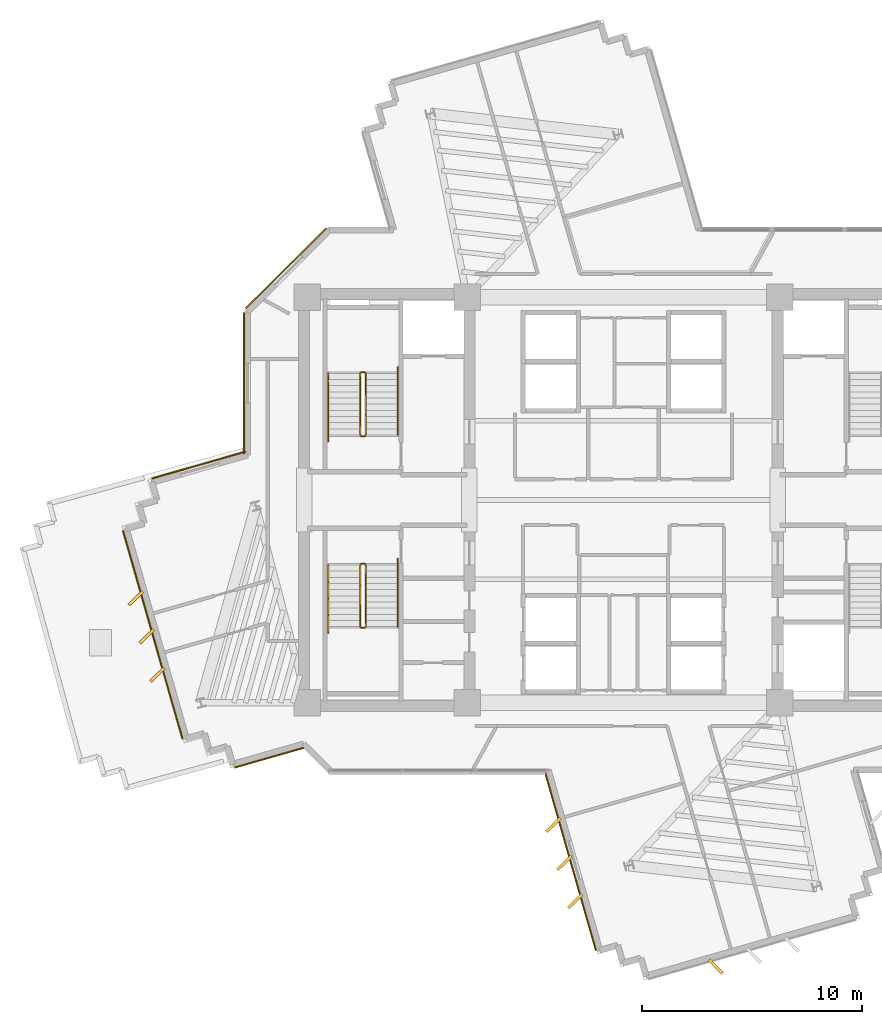
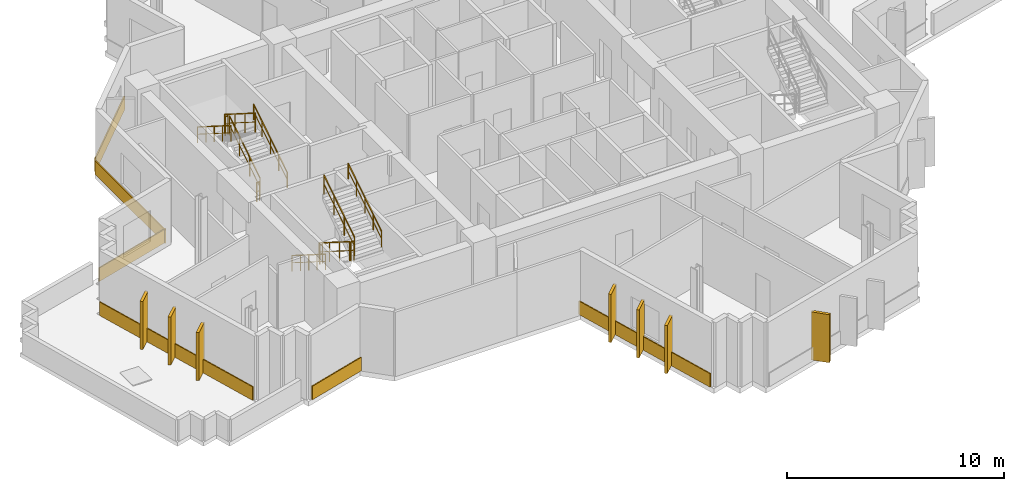
# One storey, part 12 of 14: 13 coverings, 12 railings.
"""IFC4 building model written with IfcOpenShell, lengths in metres."""

from ifc_helpers import new_model, si_unit, direction, frame, origin, origin_2d, place, context, subcontext, project, spatial, rectangle, extrude, source, transform, mapped, material, layer, layer_set, type_object, element, save


model = new_model("IFC4")

# Units and contexts
model_context = context("Model", 3, precision=1e-05, world=origin(), true_north=direction((0.0, 1.0)))
body_context = subcontext(model_context, "Body", "Model", "MODEL_VIEW")
ifc_project = project(units=[si_unit("LENGTHUNIT", "METRE"), si_unit("AREAUNIT", "SQUARE_METRE"), si_unit("VOLUMEUNIT", "CUBIC_METRE"), si_unit("PLANEANGLEUNIT", "RADIAN"), si_unit("MASSUNIT", "GRAM", prefix="KILO")], contexts=[model_context])

# Site, building, storey
site_placement = place(None, origin())
site = spatial("IfcSite", under=ifc_project, at=site_placement, CompositionType="ELEMENT")
building_placement = place(site_placement, origin())
building = spatial("IfcBuilding", under=site, at=building_placement, Name="Zahravan Cultural Tower", CompositionType="ELEMENT")
storey_placement = place(building_placement, frame((0.0, 0.0, 201.89990234375)))
storey = spatial("IfcBuildingStorey", under=building, at=storey_placement, Name="L47", CompositionType="ELEMENT", Elevation=201.89990234375)

# Railings
ifc_material_1 = material(Name="Steel ASTM A572 Grade 50", Category="steel")
railing_type_1 = type_object("IfcRailingType", Name="RL-STAIR-GRD1150", PredefinedType="BALUSTRADE", material=ifc_material_1)
railing_1_placement = place(storey_placement, frame((24.300048828125, 29.949951171875, 0.177490234375)))
element("IfcRailing", 1, at=railing_1_placement, inside=storey, type_object=railing_type_1, Name="L47 ST-W1 stair guard 1", PredefinedType="BALUSTRADE", context=body_context, shape_type="SweptSolid", body=[
    extrude(rectangle(XDim=0.05, YDim=0.05, at=origin_2d()), frame((0.0, 0.0, 1.0751953125), z_axis=(0.0, 0.844908973607, 0.534910110503), x_axis=(-1.0, 0.0, 0.0)), (0.0, 0.0, 1.0), 3.31396484375),
    extrude(rectangle(XDim=0.032, YDim=0.032, at=origin_2d()), frame((0.0, 0.0, 0.572021484375), z_axis=(0.0, 0.844908973607, 0.534910110503), x_axis=(-1.0, 0.0, 0.0)), (0.0, 0.0, 1.0), 3.31396484375),
    extrude(rectangle(XDim=0.04, YDim=0.04, at=origin_2d()), origin(), (0.0, 0.0, 1.0), 1.10009765625),
    extrude(rectangle(XDim=0.04, YDim=0.04, at=origin_2d()), frame((0.0, 0.933349609375, 0.5908203125)), (0.0, 0.0, 1.0), 1.10009765625),
    extrude(rectangle(XDim=0.04, YDim=0.04, at=origin_2d()), frame((0.0, 1.86669921875, 1.181884765625)), (0.0, 0.0, 1.0), 1.10009765625),
    extrude(rectangle(XDim=0.04, YDim=0.04, at=origin_2d()), frame((0.0, 2.800048828125, 1.772705078125)), (0.0, 0.0, 1.0), 1.10009765625),
])
railing_2_placement = place(storey_placement, frame((24.25, 32.800048828125, 1.9501953125)))
element("IfcRailing", 2, at=railing_2_placement, inside=storey, type_object=railing_type_1, Name="L47 ST-W1 stair guard 2", PredefinedType="BALUSTRADE", context=body_context, shape_type="SweptSolid", body=[
    extrude(rectangle(XDim=0.05, YDim=0.05, at=origin_2d()), frame((0.0, 0.0, 1.0751953125), z_axis=(-1.0, 0.0, 0.0), x_axis=(0.0, -1.0, 0.0)), (0.0, 0.0, 1.0), 0.14990234375),
    extrude(rectangle(XDim=0.032, YDim=0.032, at=origin_2d()), frame((0.0, 0.0, 0.572021484375), z_axis=(-1.0, 0.0, 0.0), x_axis=(0.0, -1.0, 0.0)), (0.0, 0.0, 1.0), 0.14990234375),
    extrude(rectangle(XDim=0.04, YDim=0.04, at=origin_2d()), origin(), (0.0, 0.0, 1.0), 1.10009765625),
    extrude(rectangle(XDim=0.04, YDim=0.04, at=origin_2d()), frame((-0.14990234375, 0.0, 0.0)), (0.0, 0.0, 1.0), 1.10009765625),
])
railing_3_placement = place(storey_placement, frame((24.050048828125, 32.75, 2.12744140625)))
element("IfcRailing", 3, at=railing_3_placement, inside=storey, type_object=railing_type_1, Name="L47 ST-W1 stair guard 3", PredefinedType="BALUSTRADE", context=body_context, shape_type="SweptSolid", body=[
    extrude(rectangle(XDim=0.05, YDim=0.05, at=origin_2d()), frame((0.0, 0.0, 1.0751953125), z_axis=(0.0, -0.844908973607, 0.534910110503), x_axis=(1.0, 0.0, 0.0)), (0.0, 0.0, 1.0), 3.31396484375),
    extrude(rectangle(XDim=0.032, YDim=0.032, at=origin_2d()), frame((0.0, 0.0, 0.572021484375), z_axis=(0.0, -0.844908973607, 0.534910110503), x_axis=(1.0, 0.0, 0.0)), (0.0, 0.0, 1.0), 3.31396484375),
    extrude(rectangle(XDim=0.04, YDim=0.04, at=origin_2d()), origin(), (0.0, 0.0, 1.0), 1.10009765625),
    extrude(rectangle(XDim=0.04, YDim=0.04, at=origin_2d()), frame((0.0, -0.933349609375, 0.5908203125)), (0.0, 0.0, 1.0), 1.10009765625),
    extrude(rectangle(XDim=0.04, YDim=0.04, at=origin_2d()), frame((0.0, -1.86669921875, 1.181884765625)), (0.0, 0.0, 1.0), 1.10009765625),
    extrude(rectangle(XDim=0.04, YDim=0.04, at=origin_2d()), frame((0.0, -2.800048828125, 1.772705078125)), (0.0, 0.0, 1.0), 1.10009765625),
])
railing_4_placement = place(storey_placement, frame((24.25, 29.89990234375, 0.0)))
element("IfcRailing", 4, at=railing_4_placement, inside=storey, type_object=railing_type_1, Name="L47 ST-W1 stair guard 4", PredefinedType="BALUSTRADE", context=body_context, shape_type="SweptSolid", body=[
    extrude(rectangle(XDim=0.05, YDim=0.05, at=origin_2d()), frame((0.0, 0.0, 1.0751953125), z_axis=(-1.0, 0.0, 0.0), x_axis=(0.0, -1.0, 0.0)), (0.0, 0.0, 1.0), 0.14990234375),
    extrude(rectangle(XDim=0.032, YDim=0.032, at=origin_2d()), frame((0.0, 0.0, 0.572021484375), z_axis=(-1.0, 0.0, 0.0), x_axis=(0.0, -1.0, 0.0)), (0.0, 0.0, 1.0), 0.14990234375),
    extrude(rectangle(XDim=0.04, YDim=0.04, at=origin_2d()), origin(), (0.0, 0.0, 1.0), 1.10009765625),
    extrude(rectangle(XDim=0.04, YDim=0.04, at=origin_2d()), frame((-0.14990234375, 0.0, 0.0)), (0.0, 0.0, 1.0), 1.10009765625),
])
railing_5_placement = place(storey_placement, frame((24.050048828125, 24.050048828125, 0.177490234375)))
element("IfcRailing", 5, at=railing_5_placement, inside=storey, type_object=railing_type_1, Name="L47 ST-W2 stair guard 1", PredefinedType="BALUSTRADE", context=body_context, shape_type="SweptSolid", body=[
    extrude(rectangle(XDim=0.05, YDim=0.05, at=origin_2d()), frame((0.0, 0.0, 1.0751953125), z_axis=(0.0, -0.844908973607, 0.534910110503), x_axis=(1.0, 0.0, 0.0)), (0.0, 0.0, 1.0), 3.31396484375),
    extrude(rectangle(XDim=0.032, YDim=0.032, at=origin_2d()), frame((0.0, 0.0, 0.572021484375), z_axis=(0.0, -0.844908973607, 0.534910110503), x_axis=(1.0, 0.0, 0.0)), (0.0, 0.0, 1.0), 3.31396484375),
    extrude(rectangle(XDim=0.04, YDim=0.04, at=origin_2d()), origin(), (0.0, 0.0, 1.0), 1.10009765625),
    extrude(rectangle(XDim=0.04, YDim=0.04, at=origin_2d()), frame((0.0, -0.933349609375, 0.5908203125)), (0.0, 0.0, 1.0), 1.10009765625),
    extrude(rectangle(XDim=0.04, YDim=0.04, at=origin_2d()), frame((0.0, -1.86669921875, 1.181884765625)), (0.0, 0.0, 1.0), 1.10009765625),
    extrude(rectangle(XDim=0.04, YDim=0.04, at=origin_2d()), frame((0.0, -2.800048828125, 1.772705078125)), (0.0, 0.0, 1.0), 1.10009765625),
])
railing_6_placement = place(storey_placement, frame((24.10009765625, 21.199951171875, 1.9501953125)))
element("IfcRailing", 6, at=railing_6_placement, inside=storey, type_object=railing_type_1, Name="L47 ST-W2 stair guard 2", PredefinedType="BALUSTRADE", context=body_context, shape_type="SweptSolid", body=[
    extrude(rectangle(XDim=0.05, YDim=0.05, at=origin_2d()), frame((0.0, 0.0, 1.0751953125), z_axis=(1.0, 0.0, 0.0), x_axis=(0.0, 1.0, 0.0)), (0.0, 0.0, 1.0), 0.14990234375),
    extrude(rectangle(XDim=0.032, YDim=0.032, at=origin_2d()), frame((0.0, 0.0, 0.572021484375), z_axis=(1.0, 0.0, 0.0), x_axis=(0.0, 1.0, 0.0)), (0.0, 0.0, 1.0), 0.14990234375),
    extrude(rectangle(XDim=0.04, YDim=0.04, at=origin_2d()), origin(), (0.0, 0.0, 1.0), 1.10009765625),
    extrude(rectangle(XDim=0.04, YDim=0.04, at=origin_2d()), frame((0.14990234375, 0.0, 0.0)), (0.0, 0.0, 1.0), 1.10009765625),
])
railing_7_placement = place(storey_placement, frame((24.300048828125, 21.25, 2.12744140625)))
element("IfcRailing", 7, at=railing_7_placement, inside=storey, type_object=railing_type_1, Name="L47 ST-W2 stair guard 3", PredefinedType="BALUSTRADE", context=body_context, shape_type="SweptSolid", body=[
    extrude(rectangle(XDim=0.05, YDim=0.05, at=origin_2d()), frame((0.0, 0.0, 1.0751953125), z_axis=(0.0, 0.844908973607, 0.534910110503), x_axis=(-1.0, 0.0, 0.0)), (0.0, 0.0, 1.0), 3.31396484375),
    extrude(rectangle(XDim=0.032, YDim=0.032, at=origin_2d()), frame((0.0, 0.0, 0.572021484375), z_axis=(0.0, 0.844908973607, 0.534910110503), x_axis=(-1.0, 0.0, 0.0)), (0.0, 0.0, 1.0), 3.31396484375),
    extrude(rectangle(XDim=0.04, YDim=0.04, at=origin_2d()), origin(), (0.0, 0.0, 1.0), 1.10009765625),
    extrude(rectangle(XDim=0.04, YDim=0.04, at=origin_2d()), frame((0.0, 0.933349609375, 0.5908203125)), (0.0, 0.0, 1.0), 1.10009765625),
    extrude(rectangle(XDim=0.04, YDim=0.04, at=origin_2d()), frame((0.0, 1.86669921875, 1.181884765625)), (0.0, 0.0, 1.0), 1.10009765625),
    extrude(rectangle(XDim=0.04, YDim=0.04, at=origin_2d()), frame((0.0, 2.800048828125, 1.772705078125)), (0.0, 0.0, 1.0), 1.10009765625),
])
railing_8_placement = place(storey_placement, frame((24.10009765625, 24.10009765625, 0.0)))
element("IfcRailing", 8, at=railing_8_placement, inside=storey, type_object=railing_type_1, Name="L47 ST-W2 stair guard 4", PredefinedType="BALUSTRADE", context=body_context, shape_type="SweptSolid", body=[
    extrude(rectangle(XDim=0.05, YDim=0.05, at=origin_2d()), frame((0.0, 0.0, 1.0751953125), z_axis=(1.0, 0.0, 0.0), x_axis=(0.0, 1.0, 0.0)), (0.0, 0.0, 1.0), 0.14990234375),
    extrude(rectangle(XDim=0.032, YDim=0.032, at=origin_2d()), frame((0.0, 0.0, 0.572021484375), z_axis=(1.0, 0.0, 0.0), x_axis=(0.0, 1.0, 0.0)), (0.0, 0.0, 1.0), 0.14990234375),
    extrude(rectangle(XDim=0.04, YDim=0.04, at=origin_2d()), origin(), (0.0, 0.0, 1.0), 1.10009765625),
    extrude(rectangle(XDim=0.04, YDim=0.04, at=origin_2d()), frame((0.14990234375, 0.0, 0.0)), (0.0, 0.0, 1.0), 1.10009765625),
])
railing_type_2 = type_object("IfcRailingType", Name="RL-STAIR-HR900", PredefinedType="HANDRAIL", material=ifc_material_1)
railing_9_placement = place(storey_placement, frame((25.75, 29.949951171875, 0.177490234375)))
element("IfcRailing", 9, at=railing_9_placement, inside=storey, type_object=railing_type_2, Name="L47 ST-W1 stair handrail 1", PredefinedType="HANDRAIL", context=body_context, shape_type="SweptSolid", body=[
    extrude(rectangle(XDim=0.05, YDim=0.05, at=origin_2d()), frame((0.0, 0.0, 0.875), z_axis=(0.0, 0.844913916606, 0.534902302785), x_axis=(-1.0, 0.0, 0.0)), (0.0, 0.0, 1.0), 3.6455078125),
    extrude(rectangle(XDim=0.032, YDim=0.032, at=origin_2d()), frame((0.0, 0.0, 0.468017578125), z_axis=(0.0, 0.844913916606, 0.534902302785), x_axis=(-1.0, 0.0, 0.0)), (0.0, 0.0, 1.0), 3.6455078125),
    extrude(rectangle(XDim=0.04, YDim=0.04, at=origin_2d()), origin(), (0.0, 0.0, 1.0), 0.89990234375),
    extrude(rectangle(XDim=0.04, YDim=0.04, at=origin_2d()), frame((0.0, 0.77001953125, 0.487548828125)), (0.0, 0.0, 1.0), 0.89990234375),
    extrude(rectangle(XDim=0.04, YDim=0.04, at=origin_2d()), frame((0.0, 1.5400390625, 0.97509765625)), (0.0, 0.0, 1.0), 0.89990234375),
    extrude(rectangle(XDim=0.04, YDim=0.04, at=origin_2d()), frame((0.0, 2.31005859375, 1.46240234375)), (0.0, 0.0, 1.0), 0.89990234375),
    extrude(rectangle(XDim=0.04, YDim=0.04, at=origin_2d()), frame((0.0, 3.080078125, 1.949951171875)), (0.0, 0.0, 1.0), 0.89990234375),
])
for number, where, name in (
    (10, (22.60009765625, 32.75, 2.12744140625), "L47 ST-W1 stair handrail 2"),
    (11, (22.60009765625, 24.050048828125, 0.177490234375), "L47 ST-W2 stair handrail 1"),
):
    element("IfcRailing", number, at=place(storey_placement, frame(where)), inside=storey, type_object=railing_type_2, Name=name, PredefinedType="HANDRAIL", context=body_context, shape_type="SweptSolid", body=[
        extrude(rectangle(XDim=0.05, YDim=0.05, at=origin_2d()), frame((0.0, 0.0, 0.875), z_axis=(0.0, -0.844913916606, 0.534902302785), x_axis=(1.0, 0.0, 0.0)), (0.0, 0.0, 1.0), 3.6455078125),
        extrude(rectangle(XDim=0.032, YDim=0.032, at=origin_2d()), frame((0.0, 0.0, 0.468017578125), z_axis=(0.0, -0.844913916606, 0.534902302785), x_axis=(1.0, 0.0, 0.0)), (0.0, 0.0, 1.0), 3.6455078125),
        extrude(rectangle(XDim=0.04, YDim=0.04, at=origin_2d()), origin(), (0.0, 0.0, 1.0), 0.89990234375),
        extrude(rectangle(XDim=0.04, YDim=0.04, at=origin_2d()), frame((0.0, -0.77001953125, 0.487548828125)), (0.0, 0.0, 1.0), 0.89990234375),
        extrude(rectangle(XDim=0.04, YDim=0.04, at=origin_2d()), frame((0.0, -1.5400390625, 0.97509765625)), (0.0, 0.0, 1.0), 0.89990234375),
        extrude(rectangle(XDim=0.04, YDim=0.04, at=origin_2d()), frame((0.0, -2.31005859375, 1.46240234375)), (0.0, 0.0, 1.0), 0.89990234375),
        extrude(rectangle(XDim=0.04, YDim=0.04, at=origin_2d()), frame((0.0, -3.080078125, 1.949951171875)), (0.0, 0.0, 1.0), 0.89990234375),
    ])
railing_10_placement = place(storey_placement, frame((25.75, 21.25, 2.12744140625)))
element("IfcRailing", 12, at=railing_10_placement, inside=storey, type_object=railing_type_2, Name="L47 ST-W2 stair handrail 2", PredefinedType="HANDRAIL", context=body_context, shape_type="SweptSolid", body=[
    extrude(rectangle(XDim=0.05, YDim=0.05, at=origin_2d()), frame((0.0, 0.0, 0.875), z_axis=(0.0, 0.844913916606, 0.534902302785), x_axis=(-1.0, 0.0, 0.0)), (0.0, 0.0, 1.0), 3.6455078125),
    extrude(rectangle(XDim=0.032, YDim=0.032, at=origin_2d()), frame((0.0, 0.0, 0.468017578125), z_axis=(0.0, 0.844913916606, 0.534902302785), x_axis=(-1.0, 0.0, 0.0)), (0.0, 0.0, 1.0), 3.6455078125),
    extrude(rectangle(XDim=0.04, YDim=0.04, at=origin_2d()), origin(), (0.0, 0.0, 1.0), 0.89990234375),
    extrude(rectangle(XDim=0.04, YDim=0.04, at=origin_2d()), frame((0.0, 0.77001953125, 0.487548828125)), (0.0, 0.0, 1.0), 0.89990234375),
    extrude(rectangle(XDim=0.04, YDim=0.04, at=origin_2d()), frame((0.0, 1.5400390625, 0.97509765625)), (0.0, 0.0, 1.0), 0.89990234375),
    extrude(rectangle(XDim=0.04, YDim=0.04, at=origin_2d()), frame((0.0, 2.31005859375, 1.46240234375)), (0.0, 0.0, 1.0), 0.89990234375),
    extrude(rectangle(XDim=0.04, YDim=0.04, at=origin_2d()), frame((0.0, 3.080078125, 1.949951171875)), (0.0, 0.0, 1.0), 0.89990234375),
])

# Coverings
ifc_material_2 = material(Name="Terracotta ceramic cladding", Category="masonry")
ifc_layer = layer(ifc_material_2, 0.06005859375)
ifc_layer_set = layer_set([ifc_layer], Name="Terracotta ceramic cladding")
covering_type = type_object("IfcCoveringType", Name="COV-CLAD-TC60", PredefinedType="CLADDING", material=ifc_layer_set)
shared_shape_1 = source(origin(), body_context, "Body", "SweptSolid", [
    extrude(rectangle(XDim=9.820068359375, YDim=0.06005859375, at=origin_2d()), origin(), (0.0, 0.0, 1.0), 0.760009765625),
])
covering_1_placement = place(storey_placement, frame((14.631591796875, 20.888916015625, 0.02001953125), z_axis=(0.0, 0.0, 1.0), x_axis=(-0.274966201438, 0.961453892845, 0.0)))
element("IfcCovering", 13, at=covering_1_placement, inside=storey, type_object=covering_type, Name="L47 Terracotta Spandrel Cladding 32", PredefinedType="CLADDING", context=body_context, shape_type="MappedRepresentation", body=[
    mapped(shared_shape_1, transform((0.0, 0.0, 0.0), x_axis=(1.0, 0.0, 0.0), y_axis=(0.0, 1.0, 0.0), z_axis=(0.0, 0.0, 1.0), scale=1.0)),
])
shared_shape_2 = source(origin(), body_context, "Body", "SweptSolid", [
    extrude(rectangle(XDim=5.157958984375, YDim=0.06005859375, at=origin_2d()), origin(), (0.0, 0.0, 1.0), 0.760009765625),
])
covering_2_placement = place(storey_placement, frame((20.682373046875, 37.517578125, 0.02001953125), z_axis=(0.0, 0.0, 1.0), x_axis=(0.707106781187, 0.707106781187, 0.0)))
element("IfcCovering", 14, at=covering_2_placement, inside=storey, type_object=covering_type, Name="L47 Terracotta Spandrel Cladding 39", PredefinedType="CLADDING", context=body_context, shape_type="MappedRepresentation", body=[
    mapped(shared_shape_2, transform((0.0, 0.0, 0.0), x_axis=(1.0, 0.0, 0.0), y_axis=(0.0, 1.0, 0.0), z_axis=(0.0, 0.0, 1.0), scale=1.0)),
])
shared_shape_3 = source(origin(), body_context, "Body", "SweptSolid", [
    extrude(rectangle(XDim=0.8798828125, YDim=0.139892578125, at=origin_2d()), origin(), (0.0, 0.0, 1.0), 2.699951171875),
])
for number, where, z_axis, x_axis, name in (
    (15, (40.183837890625, 5.82421875, 0.05029296875), (0.0, 0.0, 1.0), (0.694156007298, -0.71982458803, 0.0), "L47 Herringbone Terracotta Fin 12"),
    (16, (33.81201171875, 8.793212890625, 0.05029296875), (0.0, 0.0, 1.0), (-0.71982458803, -0.694156007298, 0.0), "L47 Herringbone Terracotta Fin 13"),
    (17, (33.31689453125, 10.523681640625, 0.05029296875), (0.0, 0.0, 1.0), (-0.71982458803, -0.694156007298, 0.0), "L47 Herringbone Terracotta Fin 14"),
    (18, (32.822021484375, 12.25439453125, 0.05029296875), (0.0, 0.0, 1.0), (-0.71982458803, -0.694156007298, 0.0), "L47 Herringbone Terracotta Fin 15"),
    (19, (14.8525390625, 19.079833984375, 0.05029296875), (0.0, 0.0, 1.0), (-0.71982458803, -0.694156007298, 0.0), "L47 Herringbone Terracotta Fin 16"),
    (20, (14.357666015625, 20.810546875, 0.05029296875), (0.0, 0.0, 1.0), (-0.71982458803, -0.694156007298, 0.0), "L47 Herringbone Terracotta Fin 17"),
    (21, (13.86279296875, 22.541015625, 0.05029296875), (0.0, 0.0, 1.0), (-0.71982458803, -0.694156007298, 0.0), "L47 Herringbone Terracotta Fin 18"),
):
    element("IfcCovering", number, at=place(storey_placement, frame(where, z_axis=z_axis, x_axis=x_axis)), inside=storey, type_object=covering_type, Name=name, PredefinedType="CLADDING", context=body_context, shape_type="MappedRepresentation", body=[
        mapped(shared_shape_3, transform((0.0, 0.0, 0.0), x_axis=(1.0, 0.0, 0.0), y_axis=(0.0, 1.0, 0.0), z_axis=(0.0, 0.0, 1.0), scale=1.0)),
    ])
shared_shape_4 = source(origin(), body_context, "Body", "SweptSolid", [
    extrude(rectangle(XDim=3.251220703125, YDim=0.06005859375, at=origin_2d()), origin(), (0.0, 0.0, 1.0), 0.760009765625),
])
covering_3_placement = place(storey_placement, frame((19.91259765625, 15.300537109375, 0.02001953125), z_axis=(0.0, 0.0, 1.0), x_axis=(-0.961449093633, -0.274982981932, 0.0)))
element("IfcCovering", 22, at=covering_3_placement, inside=storey, type_object=covering_type, Name="L47 Terracotta Spandrel Cladding 27", PredefinedType="CLADDING", context=body_context, shape_type="MappedRepresentation", body=[
    mapped(shared_shape_4, transform((0.0, 0.0, 0.0), x_axis=(1.0, 0.0, 0.0), y_axis=(0.0, 1.0, 0.0), z_axis=(0.0, 0.0, 1.0), scale=1.0)),
])
shared_shape_5 = source(origin(), body_context, "Body", "SweptSolid", [
    extrude(rectangle(XDim=4.420654296875, YDim=0.06005859375, at=origin_2d()), origin(), (0.0, 0.0, 1.0), 0.760009765625),
])
covering_4_placement = place(storey_placement, frame((16.721435546875, 28.585205078125, 0.02001953125), z_axis=(0.0, 0.0, 1.0), x_axis=(0.961458691764, 0.27494942086, 0.0)))
element("IfcCovering", 23, at=covering_4_placement, inside=storey, type_object=covering_type, Name="L47 Terracotta Spandrel Cladding 37", PredefinedType="CLADDING", context=body_context, shape_type="MappedRepresentation", body=[
    mapped(shared_shape_5, transform((0.0, 0.0, 0.0), x_axis=(1.0, 0.0, 0.0), y_axis=(0.0, 1.0, 0.0), z_axis=(0.0, 0.0, 1.0), scale=1.0)),
])
shared_shape_6 = source(origin(), body_context, "Body", "SweptSolid", [
    extrude(rectangle(XDim=6.39404296875, YDim=0.06005859375, at=origin_2d()), origin(), (0.0, 0.0, 1.0), 0.760009765625),
])
covering_5_placement = place(storey_placement, frame((18.77490234375, 32.294921875, 0.02001953125), z_axis=(0.0, 0.0, 1.0), x_axis=(0.0, 1.0, 0.0)))
element("IfcCovering", 24, at=covering_5_placement, inside=storey, type_object=covering_type, Name="L47 Terracotta Spandrel Cladding 38", PredefinedType="CLADDING", context=body_context, shape_type="MappedRepresentation", body=[
    mapped(shared_shape_6, transform((0.0, 0.0, 0.0), x_axis=(1.0, 0.0, 0.0), y_axis=(0.0, 1.0, 0.0), z_axis=(0.0, 0.0, 1.0), scale=1.0)),
])
shared_shape_7 = source(origin(), body_context, "Body", "SweptSolid", [
    extrude(rectangle(XDim=8.4130859375, YDim=0.06005859375, at=origin_2d()), origin(), (0.0, 0.0, 1.0), 0.760009765625),
])
covering_6_placement = place(storey_placement, frame((33.591064453125, 10.60205078125, 0.02001953125), z_axis=(0.0, 0.0, 1.0), x_axis=(-0.274966201438, 0.961453892845, 0.0)))
element("IfcCovering", 25, at=covering_6_placement, inside=storey, type_object=covering_type, Name="L47 Terracotta Spandrel Cladding 25", PredefinedType="CLADDING", context=body_context, shape_type="MappedRepresentation", body=[
    mapped(shared_shape_7, transform((0.0, 0.0, 0.0), x_axis=(1.0, 0.0, 0.0), y_axis=(0.0, 1.0, 0.0), z_axis=(0.0, 0.0, 1.0), scale=1.0)),
])

save(model, "model.ifc")
